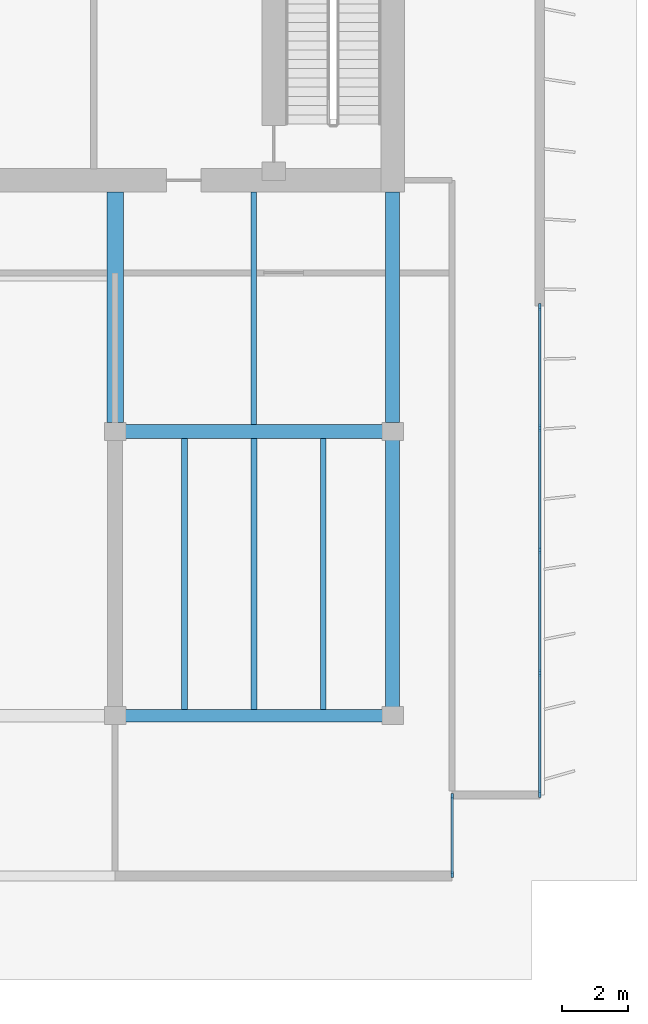
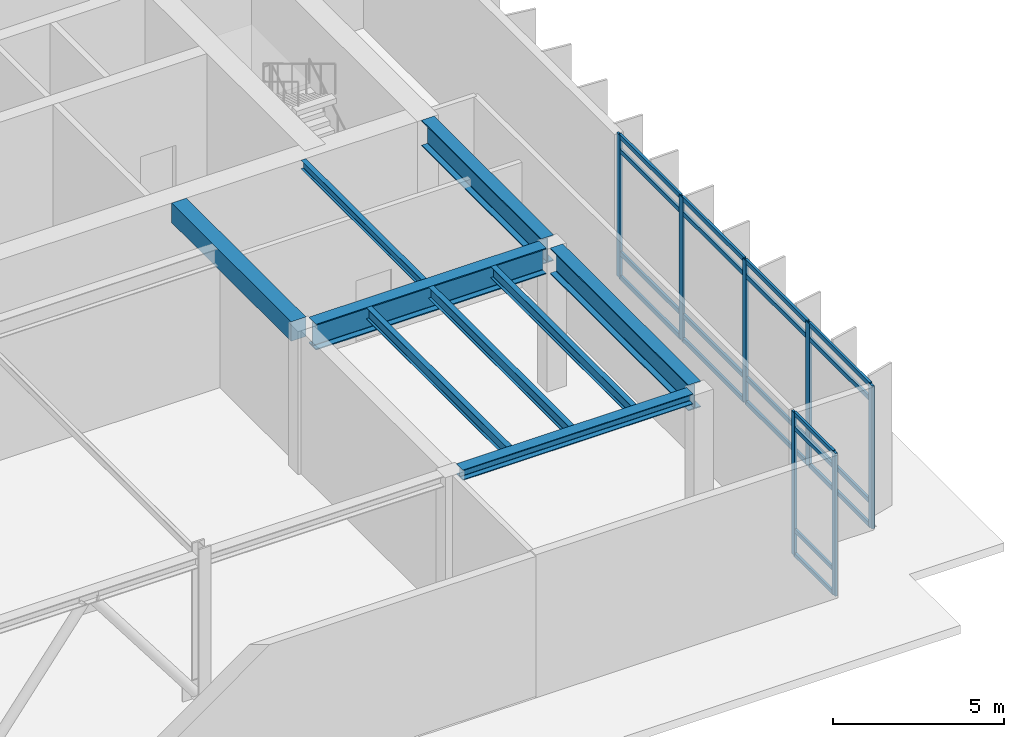
# One storey, part 3 of 10: 27 members, 9 beams, 2 elements without a shape of their own.
"""IFC4 building model written with IfcOpenShell, lengths in metres."""

from ifc_helpers import new_model, si_unit, direction, frame, origin, origin_2d, place, context, subcontext, project, spatial, rectangle, i_section, extrude, material, layer, layer_set, material_profile, profile_set, type_object, element, aggregate, save


model = new_model("IFC4")

# Units and contexts
model_context = context("Model", 3, precision=1e-05, world=origin(), true_north=direction((0.0, 1.0)))
body_context = subcontext(model_context, "Body", "Model", "MODEL_VIEW")
ifc_project = project(units=[si_unit("LENGTHUNIT", "METRE"), si_unit("AREAUNIT", "SQUARE_METRE"), si_unit("VOLUMEUNIT", "CUBIC_METRE"), si_unit("PLANEANGLEUNIT", "RADIAN"), si_unit("MASSUNIT", "GRAM", prefix="KILO")], contexts=[model_context])

# Site, building, storey
site_placement = place(None, origin())
site = spatial("IfcSite", under=ifc_project, at=site_placement, CompositionType="ELEMENT")
building_placement = place(site_placement, origin())
building = spatial("IfcBuilding", under=site, at=building_placement, Name="Caelmar Bay Residences", CompositionType="ELEMENT")
storey_placement = place(building_placement, frame((0.0, 0.0, 279.39990234375)))
storey = spatial("IfcBuildingStorey", under=building, at=storey_placement, Name="L78", CompositionType="ELEMENT", Elevation=279.39990234375)

# Beams
ifc_material_1 = material(Name="Steel ASTM A992 Grade 50", Category="steel")
ifc_material_profile_1 = material_profile(ifc_material_1, i_section(OverallWidth=0.177978515625, OverallDepth=0.406005859375, WebThickness=0.0078125, FlangeThickness=0.0126953125, FilletRadius=0.0087890625, at=origin_2d()), Name="W16X40")
ifc_profile_set_1 = profile_set([ifc_material_profile_1], Name="Steel ASTM A992 Grade 50")
beam_type_1 = type_object("IfcBeamType", Name="BM-BAL-W16X40", PredefinedType="JOIST", material=ifc_profile_set_1)
for number, where, z_axis, x_axis, name in (
    (1, (53.199951171875, 20.986572265625, 4.897216796875), (0.0, 1.0, 0.0), (-1.0, 0.0, 0.0), "L78 Composite Floor Joist 4"),
    (2, (55.300048828125, 20.986572265625, 4.897216796875), (0.0, 1.0, 0.0), (-1.0, 0.0, 0.0), "L78 Composite Floor Joist 5"),
    (3, (57.39990234375, 20.986572265625, 4.897216796875), (0.0, 1.0, 0.0), (-1.0, 0.0, 0.0), "L78 Composite Floor Joist 6"),
):
    element("IfcBeam", number, at=place(storey_placement, frame(where, z_axis=z_axis, x_axis=x_axis)), inside=storey, type_object=beam_type_1, Name=name, PredefinedType="JOIST", context=body_context, shape_type="SweptSolid", body=[
        extrude(i_section(OverallWidth=0.177978515625, OverallDepth=0.406005859375, WebThickness=0.0078125, FlangeThickness=0.0126953125, FilletRadius=0.0087890625, at=origin_2d()), origin(), (0.0, 0.0, 1.0), 8.202392578125),
    ])
ifc_material_profile_2 = material_profile(ifc_material_1, i_section(OverallWidth=0.373046875, OverallDepth=0.373046875, WebThickness=0.016357421875, FlangeThickness=0.026123046875, FilletRadius=0.01513671875, at=origin_2d()), Name="W14X132")
ifc_profile_set_2 = profile_set([ifc_material_profile_2], Name="Steel ASTM A992 Grade 50")
beam_type_2 = type_object("IfcBeamType", Name="BM-CHD-W14X132", PredefinedType="BEAM", material=ifc_profile_set_2)
beam_1_placement = place(storey_placement, frame((51.4150390625, 20.800048828125, 4.91357421875), z_axis=(1.0, 0.0, 0.0), x_axis=(0.0, 1.0, 0.0)))
element("IfcBeam", 4, at=beam_1_placement, inside=storey, type_object=beam_type_2, Name="L78 East-West Girder Y=20.80 (51.1-59.5)", PredefinedType="BEAM", context=body_context, shape_type="SweptSolid", body=[
    extrude(i_section(OverallWidth=0.373046875, OverallDepth=0.373046875, WebThickness=0.016357421875, FlangeThickness=0.026123046875, FilletRadius=0.01513671875, at=origin_2d()), origin(), (0.0, 0.0, 1.0), 7.77001953125),
])
ifc_material_profile_3 = material_profile(ifc_material_1, i_section(OverallWidth=0.422119140625, OverallDepth=0.925048828125, WebThickness=0.021240234375, FlangeThickness=0.03662109375, FilletRadius=0.020263671875, at=origin_2d()), Name="W36X262")
ifc_profile_set_3 = profile_set([ifc_material_profile_3], Name="Steel ASTM A992 Grade 50")
beam_type_3 = type_object("IfcBeamType", Name="BM-GRD-W36X262", PredefinedType="BEAM", material=ifc_profile_set_3)
beam_2_placement = place(storey_placement, frame((51.4150390625, 29.39990234375, 4.6376953125), z_axis=(1.0, 0.0, 0.0), x_axis=(0.0, 1.0, 0.0)))
element("IfcBeam", 5, at=beam_2_placement, inside=storey, type_object=beam_type_3, Name="L78 East-West Girder Y=29.40 (51.1-59.5)", PredefinedType="BEAM", context=body_context, shape_type="SweptSolid", body=[
    extrude(i_section(OverallWidth=0.422119140625, OverallDepth=0.925048828125, WebThickness=0.021240234375, FlangeThickness=0.03662109375, FilletRadius=0.020263671875, at=origin_2d()), origin(), (0.0, 0.0, 1.0), 7.77001953125),
])
beam_3_placement = place(storey_placement, frame((59.5, 29.6650390625, 4.6376953125), z_axis=(0.0, 1.0, 0.0), x_axis=(-1.0, 0.0, 0.0)))
element("IfcBeam", 6, at=beam_3_placement, inside=storey, type_object=beam_type_3, Name="L78 Core Tie Girder X=59.50", PredefinedType="BEAM", context=body_context, shape_type="SweptSolid", body=[
    extrude(i_section(OverallWidth=0.422119140625, OverallDepth=0.925048828125, WebThickness=0.021240234375, FlangeThickness=0.03662109375, FilletRadius=0.020263671875, at=origin_2d()), origin(), (0.0, 0.0, 1.0), 6.98486328125),
])
beam_4_placement = place(storey_placement, frame((59.5, 21.06494140625, 4.6376953125), z_axis=(0.0, 1.0, 0.0), x_axis=(-1.0, 0.0, 0.0)))
element("IfcBeam", 7, at=beam_4_placement, inside=storey, type_object=beam_type_3, Name="L78 North-South Girder X=59.50 (20.8-29.4)", PredefinedType="BEAM", context=body_context, shape_type="SweptSolid", body=[
    extrude(i_section(OverallWidth=0.422119140625, OverallDepth=0.925048828125, WebThickness=0.021240234375, FlangeThickness=0.03662109375, FilletRadius=0.020263671875, at=origin_2d()), origin(), (0.0, 0.0, 1.0), 8.070068359375),
])
ifc_material_profile_4 = material_profile(ifc_material_1, i_section(OverallWidth=0.1650390625, OverallDepth=0.31005859375, WebThickness=0.005859375, FlangeThickness=0.009765625, FilletRadius=0.007568359375, at=origin_2d()), Name="W12X26")
ifc_profile_set_4 = profile_set([ifc_material_profile_4], Name="Steel ASTM A992 Grade 50")
beam_type_4 = type_object("IfcBeamType", Name="BM-JST-W12X26", PredefinedType="JOIST", material=ifc_profile_set_4)
beam_5_placement = place(storey_placement, frame((55.300048828125, 29.611083984375, 4.945068359375), z_axis=(0.0, 1.0, 0.0), x_axis=(-1.0, 0.0, 0.0)))
element("IfcBeam", 8, at=beam_5_placement, inside=storey, type_object=beam_type_4, Name="L78 Core-Band Composite Joist 8", PredefinedType="JOIST", context=body_context, shape_type="SweptSolid", body=[
    extrude(i_section(OverallWidth=0.1650390625, OverallDepth=0.31005859375, WebThickness=0.005859375, FlangeThickness=0.009765625, FilletRadius=0.007568359375, at=origin_2d()), origin(), (0.0, 0.0, 1.0), 7.038818359375),
])
ifc_material_2 = material(Name="Concrete f'c 55 MPa (8,000 psi)", Category="concrete")
ifc_material_profile_5 = material_profile(ifc_material_2, rectangle(XDim=0.5, YDim=0.699951171875, at=origin_2d()), Name="RC-BM-500X700")
ifc_profile_set_5 = profile_set([ifc_material_profile_5], Name="Concrete f'c 55 MPa (8,000 psi)")
beam_type_5 = type_object("IfcBeamType", Name="BM-RC-500X700", PredefinedType="LINTEL", material=ifc_profile_set_5)
beam_6_placement = place(storey_placement, frame((51.10009765625, 29.6650390625, 4.75), z_axis=(0.0, 1.0, 0.0), x_axis=(-1.0, 0.0, 0.0)))
element("IfcBeam", 9, at=beam_6_placement, inside=storey, type_object=beam_type_5, Name="L78 Shear-Wall Corridor Coupling Lintel E8", PredefinedType="LINTEL", context=body_context, shape_type="SweptSolid", body=[
    extrude(rectangle(XDim=0.5, YDim=0.699951171875, at=origin_2d()), origin(), (0.0, 0.0, 1.0), 6.98486328125),
])

# Curtain wall, members
ifc_material_3 = material(Name="Anodised bronze aluminium 6063-T6 and laminated glass", Category="aluminium")
ifc_layer_1 = layer(ifc_material_3, 0.179931640625)
ifc_layer_set_1 = layer_set([ifc_layer_1], Name="Anodised bronze aluminium 6063-T6 and laminated glass")
curtain_wall_type_1 = type_object("IfcCurtainWallType", Name="CW6-NTC", PredefinedType="NOTDEFINED", material=ifc_layer_set_1)
curtain_wall_1_placement = place(storey_placement, origin())
curtain_wall_1 = element("IfcCurtainWall", 10, at=curtain_wall_1_placement, inside=storey, type_object=curtain_wall_type_1, Name="CW6 curtain wall L78", PredefinedType="NOTDEFINED")
ifc_material_4 = material(Name="Anodised bronze aluminium 6063-T6", Category="aluminium")
ifc_material_profile_6 = material_profile(ifc_material_4, rectangle(XDim=0.080078125, YDim=0.179931640625, at=origin_2d()), Name="CWM-80X180")
ifc_profile_set_6 = profile_set([ifc_material_profile_6], Name="Anodised bronze aluminium 6063-T6")
member_type_1 = type_object("IfcMemberType", Name="CWM-180", PredefinedType="MULLION", material=ifc_profile_set_6)
member_1_placement = place(storey_placement, frame((61.300048828125, 15.989990234375, 0.0), z_axis=(0.0, 0.0, 1.0), x_axis=(-1.0, 0.0, 0.0)))
member_1 = element("IfcMember", 11, at=member_1_placement, type_object=member_type_1, Name="CW6 mullion 1", PredefinedType="MULLION", context=body_context, shape_type="SweptSolid", body=[
    extrude(rectangle(XDim=0.080078125, YDim=0.179931640625, at=origin_2d()), origin(), (0.0, 0.0, 1.0), 5.10009765625),
])
member_2_placement = place(storey_placement, frame((61.300048828125, 18.360107421875, 0.0), z_axis=(0.0, 0.0, 1.0), x_axis=(-1.0, 0.0, 0.0)))
member_2 = element("IfcMember", 12, at=member_2_placement, type_object=member_type_1, Name="CW6 mullion 2", PredefinedType="MULLION", context=body_context, shape_type="SweptSolid", body=[
    extrude(rectangle(XDim=0.080078125, YDim=0.179931640625, at=origin_2d()), origin(), (0.0, 0.0, 1.0), 5.10009765625),
])

ifc_layer_2 = layer(ifc_material_3, 0.179931640625)
ifc_layer_set_2 = layer_set([ifc_layer_2], Name="Anodised bronze aluminium 6063-T6 and laminated glass")
curtain_wall_type_2 = type_object("IfcCurtainWallType", Name="CW7-CRN", PredefinedType="NOTDEFINED", material=ifc_layer_set_2)
curtain_wall_2_placement = place(storey_placement, origin())
curtain_wall_2 = element("IfcCurtainWall", 13, at=curtain_wall_2_placement, inside=storey, type_object=curtain_wall_type_2, Name="CW7 curtain wall L78", PredefinedType="NOTDEFINED")
ifc_material_profile_7 = material_profile(ifc_material_4, rectangle(XDim=0.080078125, YDim=0.219970703125, at=origin_2d()), Name="CWM-80X220")
ifc_profile_set_7 = profile_set([ifc_material_profile_7], Name="Anodised bronze aluminium 6063-T6")
member_type_2 = type_object("IfcMemberType", Name="CWM-220", PredefinedType="MULLION", material=ifc_profile_set_7)
member_3_placement = place(storey_placement, frame((63.949951171875, 33.159912109375, 0.0), z_axis=(0.0, 0.0, 1.0), x_axis=(1.0, 0.0, 0.0)))
member_3 = element("IfcMember", 14, at=member_3_placement, type_object=member_type_2, Name="CW7 mullion 1", PredefinedType="MULLION", context=body_context, shape_type="SweptSolid", body=[
    extrude(rectangle(XDim=0.080078125, YDim=0.219970703125, at=origin_2d()), origin(), (0.0, 0.0, 1.0), 5.10009765625),
])
member_4_placement = place(storey_placement, frame((63.949951171875, 29.5, 0.0), z_axis=(0.0, 0.0, 1.0), x_axis=(1.0, 0.0, 0.0)))
member_4 = element("IfcMember", 15, at=member_4_placement, type_object=member_type_2, Name="CW7 mullion 2", PredefinedType="MULLION", context=body_context, shape_type="SweptSolid", body=[
    extrude(rectangle(XDim=0.080078125, YDim=0.219970703125, at=origin_2d()), origin(), (0.0, 0.0, 1.0), 5.10009765625),
])
member_5_placement = place(storey_placement, frame((63.949951171875, 25.800048828125, 0.0), z_axis=(0.0, 0.0, 1.0), x_axis=(1.0, 0.0, 0.0)))
member_5 = element("IfcMember", 16, at=member_5_placement, type_object=member_type_2, Name="CW7 mullion 3", PredefinedType="MULLION", context=body_context, shape_type="SweptSolid", body=[
    extrude(rectangle(XDim=0.080078125, YDim=0.219970703125, at=origin_2d()), origin(), (0.0, 0.0, 1.0), 5.10009765625),
])
member_6_placement = place(storey_placement, frame((63.949951171875, 22.10009765625, 0.0), z_axis=(0.0, 0.0, 1.0), x_axis=(1.0, 0.0, 0.0)))
member_6 = element("IfcMember", 17, at=member_6_placement, type_object=member_type_2, Name="CW7 mullion 4", PredefinedType="MULLION", context=body_context, shape_type="SweptSolid", body=[
    extrude(rectangle(XDim=0.080078125, YDim=0.219970703125, at=origin_2d()), origin(), (0.0, 0.0, 1.0), 5.10009765625),
])
member_7_placement = place(storey_placement, frame((63.949951171875, 18.43994140625, 0.0), z_axis=(0.0, 0.0, 1.0), x_axis=(1.0, 0.0, 0.0)))
member_7 = element("IfcMember", 18, at=member_7_placement, type_object=member_type_2, Name="CW7 mullion 5", PredefinedType="MULLION", context=body_context, shape_type="SweptSolid", body=[
    extrude(rectangle(XDim=0.080078125, YDim=0.219970703125, at=origin_2d()), origin(), (0.0, 0.0, 1.0), 5.10009765625),
])

# Member
ifc_material_profile_8 = material_profile(ifc_material_4, rectangle(XDim=0.080078125, YDim=0.139892578125, at=origin_2d()), Name="CWT-80X140")
ifc_profile_set_8 = profile_set([ifc_material_profile_8], Name="Anodised bronze aluminium 6063-T6")
member_type_3 = type_object("IfcMemberType", Name="CWT-140", PredefinedType="NOTDEFINED", material=ifc_profile_set_8)
member_8_placement = place(storey_placement, frame((61.300048828125, 16.030029296875, 0.0400390625), z_axis=(0.0, 1.0, 0.0), x_axis=(-1.0, 0.0, 0.0)))
member_8 = element("IfcMember", 19, at=member_8_placement, type_object=member_type_3, Name="CW6 transom 1.1", ObjectType="TRANSOM", PredefinedType="USERDEFINED", context=body_context, shape_type="SweptSolid", body=[
    extrude(rectangle(XDim=0.080078125, YDim=0.139892578125, at=origin_2d()), origin(), (0.0, 0.0, 1.0), 2.2900390625),
])

member_9_placement = place(storey_placement, frame((61.300048828125, 16.030029296875, 0.900146484375), z_axis=(0.0, 1.0, 0.0), x_axis=(-1.0, 0.0, 0.0)))
member_9 = element("IfcMember", 20, at=member_9_placement, type_object=member_type_3, Name="CW6 transom 1.2", ObjectType="TRANSOM", PredefinedType="USERDEFINED", context=body_context, shape_type="SweptSolid", body=[
    extrude(rectangle(XDim=0.080078125, YDim=0.139892578125, at=origin_2d()), origin(), (0.0, 0.0, 1.0), 2.2900390625),
])

member_10_placement = place(storey_placement, frame((61.300048828125, 16.030029296875, 4.550048828125), z_axis=(0.0, 1.0, 0.0), x_axis=(-1.0, 0.0, 0.0)))
member_10 = element("IfcMember", 21, at=member_10_placement, type_object=member_type_3, Name="CW6 transom 1.3", ObjectType="TRANSOM", PredefinedType="USERDEFINED", context=body_context, shape_type="SweptSolid", body=[
    extrude(rectangle(XDim=0.080078125, YDim=0.139892578125, at=origin_2d()), origin(), (0.0, 0.0, 1.0), 2.2900390625),
])

member_11_placement = place(storey_placement, frame((61.300048828125, 16.030029296875, 5.06005859375), z_axis=(0.0, 1.0, 0.0), x_axis=(-1.0, 0.0, 0.0)))
member_11 = element("IfcMember", 22, at=member_11_placement, type_object=member_type_3, Name="CW6 transom 1.4", ObjectType="TRANSOM", PredefinedType="USERDEFINED", context=body_context, shape_type="SweptSolid", body=[
    extrude(rectangle(XDim=0.080078125, YDim=0.139892578125, at=origin_2d()), origin(), (0.0, 0.0, 1.0), 2.2900390625),
])

aggregate(curtain_wall_1, [member_1, member_2, member_8, member_9, member_10, member_11])

ifc_material_profile_9 = material_profile(ifc_material_4, rectangle(XDim=0.080078125, YDim=0.159912109375, at=origin_2d()), Name="CWT-80X160")
ifc_profile_set_9 = profile_set([ifc_material_profile_9], Name="Anodised bronze aluminium 6063-T6")
member_type_4 = type_object("IfcMemberType", Name="CWT-160", PredefinedType="NOTDEFINED", material=ifc_profile_set_9)
member_12_placement = place(storey_placement, frame((63.949951171875, 33.1201171875, 0.0400390625), z_axis=(0.0, -1.0, 0.0), x_axis=(1.0, 0.0, 0.0)))
member_12 = element("IfcMember", 23, at=member_12_placement, type_object=member_type_4, Name="CW7 transom 1.1", ObjectType="TRANSOM", PredefinedType="USERDEFINED", context=body_context, shape_type="SweptSolid", body=[
    extrude(rectangle(XDim=0.080078125, YDim=0.159912109375, at=origin_2d()), origin(), (0.0, 0.0, 1.0), 3.580078125),
])

member_13_placement = place(storey_placement, frame((63.949951171875, 33.1201171875, 0.900146484375), z_axis=(0.0, -1.0, 0.0), x_axis=(1.0, 0.0, 0.0)))
member_13 = element("IfcMember", 24, at=member_13_placement, type_object=member_type_4, Name="CW7 transom 1.2", ObjectType="TRANSOM", PredefinedType="USERDEFINED", context=body_context, shape_type="SweptSolid", body=[
    extrude(rectangle(XDim=0.080078125, YDim=0.159912109375, at=origin_2d()), origin(), (0.0, 0.0, 1.0), 3.580078125),
])

member_14_placement = place(storey_placement, frame((63.949951171875, 33.1201171875, 4.550048828125), z_axis=(0.0, -1.0, 0.0), x_axis=(1.0, 0.0, 0.0)))
member_14 = element("IfcMember", 25, at=member_14_placement, type_object=member_type_4, Name="CW7 transom 1.3", ObjectType="TRANSOM", PredefinedType="USERDEFINED", context=body_context, shape_type="SweptSolid", body=[
    extrude(rectangle(XDim=0.080078125, YDim=0.159912109375, at=origin_2d()), origin(), (0.0, 0.0, 1.0), 3.580078125),
])

member_15_placement = place(storey_placement, frame((63.949951171875, 33.1201171875, 5.06005859375), z_axis=(0.0, -1.0, 0.0), x_axis=(1.0, 0.0, 0.0)))
member_15 = element("IfcMember", 26, at=member_15_placement, type_object=member_type_4, Name="CW7 transom 1.4", ObjectType="TRANSOM", PredefinedType="USERDEFINED", context=body_context, shape_type="SweptSolid", body=[
    extrude(rectangle(XDim=0.080078125, YDim=0.159912109375, at=origin_2d()), origin(), (0.0, 0.0, 1.0), 3.580078125),
])

member_16_placement = place(storey_placement, frame((63.949951171875, 29.4599609375, 0.0400390625), z_axis=(0.0, -1.0, 0.0), x_axis=(1.0, 0.0, 0.0)))
member_16 = element("IfcMember", 27, at=member_16_placement, type_object=member_type_4, Name="CW7 transom 2.1", ObjectType="TRANSOM", PredefinedType="USERDEFINED", context=body_context, shape_type="SweptSolid", body=[
    extrude(rectangle(XDim=0.080078125, YDim=0.159912109375, at=origin_2d()), origin(), (0.0, 0.0, 1.0), 3.619873046875),
])

member_17_placement = place(storey_placement, frame((63.949951171875, 29.4599609375, 0.900146484375), z_axis=(0.0, -1.0, 0.0), x_axis=(1.0, 0.0, 0.0)))
member_17 = element("IfcMember", 28, at=member_17_placement, type_object=member_type_4, Name="CW7 transom 2.2", ObjectType="TRANSOM", PredefinedType="USERDEFINED", context=body_context, shape_type="SweptSolid", body=[
    extrude(rectangle(XDim=0.080078125, YDim=0.159912109375, at=origin_2d()), origin(), (0.0, 0.0, 1.0), 3.619873046875),
])

member_18_placement = place(storey_placement, frame((63.949951171875, 29.4599609375, 4.550048828125), z_axis=(0.0, -1.0, 0.0), x_axis=(1.0, 0.0, 0.0)))
member_18 = element("IfcMember", 29, at=member_18_placement, type_object=member_type_4, Name="CW7 transom 2.3", ObjectType="TRANSOM", PredefinedType="USERDEFINED", context=body_context, shape_type="SweptSolid", body=[
    extrude(rectangle(XDim=0.080078125, YDim=0.159912109375, at=origin_2d()), origin(), (0.0, 0.0, 1.0), 3.619873046875),
])

member_19_placement = place(storey_placement, frame((63.949951171875, 29.4599609375, 5.06005859375), z_axis=(0.0, -1.0, 0.0), x_axis=(1.0, 0.0, 0.0)))
member_19 = element("IfcMember", 30, at=member_19_placement, type_object=member_type_4, Name="CW7 transom 2.4", ObjectType="TRANSOM", PredefinedType="USERDEFINED", context=body_context, shape_type="SweptSolid", body=[
    extrude(rectangle(XDim=0.080078125, YDim=0.159912109375, at=origin_2d()), origin(), (0.0, 0.0, 1.0), 3.619873046875),
])

member_20_placement = place(storey_placement, frame((63.949951171875, 25.760009765625, 0.0400390625), z_axis=(0.0, -1.0, 0.0), x_axis=(1.0, 0.0, 0.0)))
member_20 = element("IfcMember", 31, at=member_20_placement, type_object=member_type_4, Name="CW7 transom 3.1", ObjectType="TRANSOM", PredefinedType="USERDEFINED", context=body_context, shape_type="SweptSolid", body=[
    extrude(rectangle(XDim=0.080078125, YDim=0.159912109375, at=origin_2d()), origin(), (0.0, 0.0, 1.0), 3.6201171875),
])

member_21_placement = place(storey_placement, frame((63.949951171875, 25.760009765625, 0.900146484375), z_axis=(0.0, -1.0, 0.0), x_axis=(1.0, 0.0, 0.0)))
member_21 = element("IfcMember", 32, at=member_21_placement, type_object=member_type_4, Name="CW7 transom 3.2", ObjectType="TRANSOM", PredefinedType="USERDEFINED", context=body_context, shape_type="SweptSolid", body=[
    extrude(rectangle(XDim=0.080078125, YDim=0.159912109375, at=origin_2d()), origin(), (0.0, 0.0, 1.0), 3.6201171875),
])

member_22_placement = place(storey_placement, frame((63.949951171875, 25.760009765625, 4.550048828125), z_axis=(0.0, -1.0, 0.0), x_axis=(1.0, 0.0, 0.0)))
member_22 = element("IfcMember", 33, at=member_22_placement, type_object=member_type_4, Name="CW7 transom 3.3", ObjectType="TRANSOM", PredefinedType="USERDEFINED", context=body_context, shape_type="SweptSolid", body=[
    extrude(rectangle(XDim=0.080078125, YDim=0.159912109375, at=origin_2d()), origin(), (0.0, 0.0, 1.0), 3.6201171875),
])

member_23_placement = place(storey_placement, frame((63.949951171875, 25.760009765625, 5.06005859375), z_axis=(0.0, -1.0, 0.0), x_axis=(1.0, 0.0, 0.0)))
member_23 = element("IfcMember", 34, at=member_23_placement, type_object=member_type_4, Name="CW7 transom 3.4", ObjectType="TRANSOM", PredefinedType="USERDEFINED", context=body_context, shape_type="SweptSolid", body=[
    extrude(rectangle(XDim=0.080078125, YDim=0.159912109375, at=origin_2d()), origin(), (0.0, 0.0, 1.0), 3.6201171875),
])

member_24_placement = place(storey_placement, frame((63.949951171875, 22.06005859375, 0.0400390625), z_axis=(0.0, -1.0, 0.0), x_axis=(1.0, 0.0, 0.0)))
member_24 = element("IfcMember", 35, at=member_24_placement, type_object=member_type_4, Name="CW7 transom 4.1", ObjectType="TRANSOM", PredefinedType="USERDEFINED", context=body_context, shape_type="SweptSolid", body=[
    extrude(rectangle(XDim=0.080078125, YDim=0.159912109375, at=origin_2d()), origin(), (0.0, 0.0, 1.0), 3.580078125),
])

member_25_placement = place(storey_placement, frame((63.949951171875, 22.06005859375, 0.900146484375), z_axis=(0.0, -1.0, 0.0), x_axis=(1.0, 0.0, 0.0)))
member_25 = element("IfcMember", 36, at=member_25_placement, type_object=member_type_4, Name="CW7 transom 4.2", ObjectType="TRANSOM", PredefinedType="USERDEFINED", context=body_context, shape_type="SweptSolid", body=[
    extrude(rectangle(XDim=0.080078125, YDim=0.159912109375, at=origin_2d()), origin(), (0.0, 0.0, 1.0), 3.580078125),
])

member_26_placement = place(storey_placement, frame((63.949951171875, 22.06005859375, 4.550048828125), z_axis=(0.0, -1.0, 0.0), x_axis=(1.0, 0.0, 0.0)))
member_26 = element("IfcMember", 37, at=member_26_placement, type_object=member_type_4, Name="CW7 transom 4.3", ObjectType="TRANSOM", PredefinedType="USERDEFINED", context=body_context, shape_type="SweptSolid", body=[
    extrude(rectangle(XDim=0.080078125, YDim=0.159912109375, at=origin_2d()), origin(), (0.0, 0.0, 1.0), 3.580078125),
])

member_27_placement = place(storey_placement, frame((63.949951171875, 22.06005859375, 5.06005859375), z_axis=(0.0, -1.0, 0.0), x_axis=(1.0, 0.0, 0.0)))
member_27 = element("IfcMember", 38, at=member_27_placement, type_object=member_type_4, Name="CW7 transom 4.4", ObjectType="TRANSOM", PredefinedType="USERDEFINED", context=body_context, shape_type="SweptSolid", body=[
    extrude(rectangle(XDim=0.080078125, YDim=0.159912109375, at=origin_2d()), origin(), (0.0, 0.0, 1.0), 3.580078125),
])

aggregate(curtain_wall_2, [member_3, member_4, member_5, member_6, member_7, member_12, member_13, member_14, member_15, member_16, member_17, member_18, member_19, member_20, member_21, member_22, member_23, member_24, member_25, member_26, member_27])

save(model, "model.ifc")
